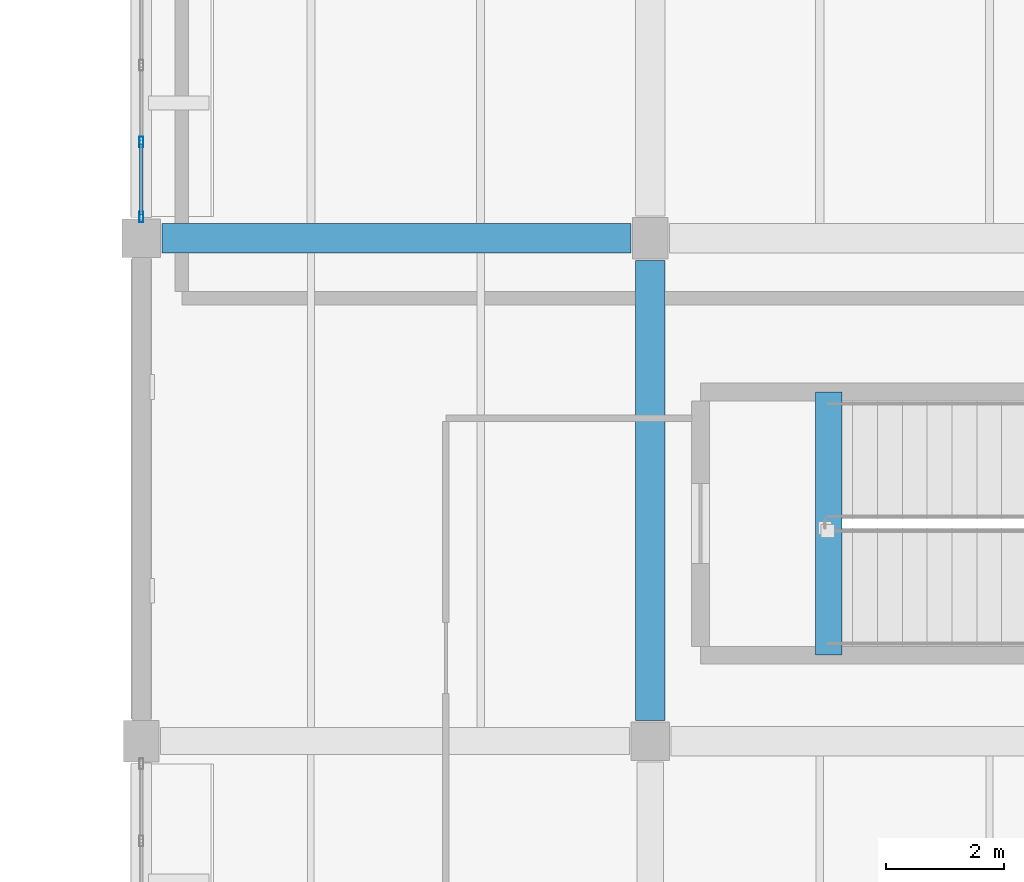
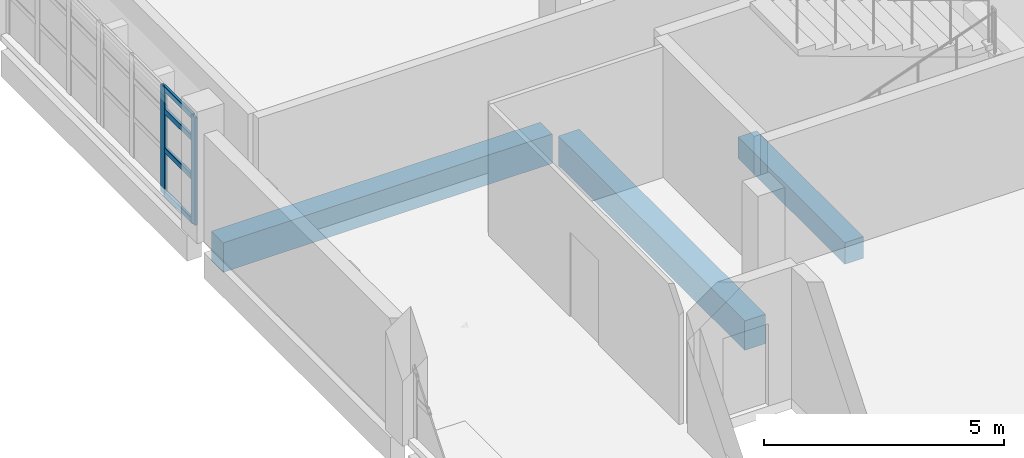
# One storey, part 14 of 93: 6 members, 3 beams, 1 element without a shape of its own.
"""IFC4 building model written with IfcOpenShell, lengths in metres."""

from ifc_helpers import new_model, si_unit, direction, frame, origin, origin_2d, place, context, subcontext, project, spatial, rectangle, hollow_rectangle, extrude, material, material_profile, profile_set, type_object, element, aggregate, save


model = new_model("IFC4")

# Units and contexts
model_context = context("Model", 3, precision=1e-05, world=origin(), true_north=direction((0.0, 1.0)))
body_context = subcontext(model_context, "Body", "Model", "MODEL_VIEW")
ifc_project = project(units=[si_unit("LENGTHUNIT", "METRE"), si_unit("AREAUNIT", "SQUARE_METRE"), si_unit("VOLUMEUNIT", "CUBIC_METRE"), si_unit("PLANEANGLEUNIT", "RADIAN"), si_unit("MASSUNIT", "GRAM", prefix="KILO")], contexts=[model_context])

# Site, building, storey
site_placement = place(None, origin())
site = spatial("IfcSite", under=ifc_project, at=site_placement, CompositionType="ELEMENT")
building_placement = place(site_placement, origin())
building = spatial("IfcBuilding", under=site, at=building_placement, Name="Varnakota Cinema and Media Centre", CompositionType="ELEMENT")
storey_placement = place(building_placement, frame((0.0, 0.0, 12.0)))
storey = spatial("IfcBuildingStorey", under=building, at=storey_placement, Name="L03", CompositionType="ELEMENT", Elevation=12.0)

# Beams
ifc_material_1 = material(Name="Concrete M40", Category="concrete")
ifc_material_profile_1 = material_profile(ifc_material_1, rectangle(XDim=0.449951171875, YDim=0.550048828125, at=origin_2d()), Name="RCB 450x550")
ifc_profile_set_1 = profile_set([ifc_material_profile_1], Name="Concrete M40")
beam_type_1 = type_object("IfcBeamType", Name="BM-RC-450x550", PredefinedType="BEAM", material=ifc_profile_set_1)
beam_1_placement = place(storey_placement, frame((11.6201171875, 45.449951171875, -0.27490234375), z_axis=(0.0, 1.0, 0.0), x_axis=(-1.0, 0.0, 0.0)))
element("IfcBeam", 1, at=beam_1_placement, inside=storey, type_object=beam_type_1, Name="L03 ST-03 stair arrival trimmer beam", PredefinedType="BEAM", context=body_context, shape_type="SweptSolid", body=[
    extrude(rectangle(XDim=0.449951171875, YDim=0.550048828125, at=origin_2d()), origin(), (0.0, 0.0, 1.0), 4.449951171875),
])
ifc_material_2 = material(Name="Concrete M35", Category="concrete")
ifc_material_profile_2 = material_profile(ifc_material_2, rectangle(XDim=0.5, YDim=0.75, at=origin_2d()), Name="RCB 500x750")
ifc_profile_set_2 = profile_set([ifc_material_profile_2], Name="Concrete M35")
beam_type_2 = type_object("IfcBeamType", Name="BM-RC-500x750", PredefinedType="BEAM", material=ifc_profile_set_2)
beam_2_placement = place(storey_placement, frame((0.35009765625, 52.5, -0.635009765625), z_axis=(1.0, 0.0, 0.0), x_axis=(0.0, 1.0, 0.0)))
element("IfcBeam", 2, at=beam_2_placement, inside=storey, type_object=beam_type_2, Name="L03 girder A-B/7", PredefinedType="BEAM", context=body_context, shape_type="SweptSolid", body=[
    extrude(rectangle(XDim=0.5, YDim=0.75, at=origin_2d()), origin(), (0.0, 0.0, 1.0), 7.9248046875),
])
beam_3_placement = place(storey_placement, frame((8.60009765625, 44.35009765625, -0.635009765625), z_axis=(0.0, 1.0, 0.0), x_axis=(-1.0, 0.0, 0.0)))
element("IfcBeam", 3, at=beam_3_placement, inside=storey, type_object=beam_type_2, Name="L03 girder B/6-7", PredefinedType="BEAM", context=body_context, shape_type="SweptSolid", body=[
    extrude(rectangle(XDim=0.5, YDim=0.75, at=origin_2d()), origin(), (0.0, 0.0, 1.0), 7.77490234375),
])

# Curtain wall, members
ifc_material_3 = material(Name="Thermally broken anodised aluminium AW-6063", Category="aluminium")
curtain_wall_type = type_object("IfcCurtainWallType", Name="CW-STD-389x274", PredefinedType="USERDEFINED", material=ifc_material_3)
curtain_wall_placement = place(storey_placement, origin())
curtain_wall = element("IfcCurtainWall", 4, at=curtain_wall_placement, inside=storey, type_object=curtain_wall_type, Name="L03 curtain wall CW-L03-V5-W-03-2", ObjectType="UNITISED CURTAIN WALL", PredefinedType="USERDEFINED")
ifc_material_4 = material(Name="Thermally broken anodised aluminium AW-6063", Category="aluminium")
ifc_material_profile_3 = material_profile(ifc_material_4, hollow_rectangle(XDim=0.06494140625, YDim=0.179931640625, WallThickness=0.00390625, InnerFilletRadius=0.00390625, OuterFilletRadius=0.008056640625, at=origin_2d()), Name="AL-MULLION 180x65x4")
ifc_profile_set_3 = profile_set([ifc_material_profile_3], Name="Thermally broken anodised aluminium AW-6063")
member_type_1 = type_object("IfcMemberType", Name="CWM-AL-180", PredefinedType="MULLION", material=ifc_profile_set_3)
member_1_placement = place(storey_placement, frame((0.0, 54.12255859375, 0.0), z_axis=(0.0, 0.0, 1.0), x_axis=(1.0, 0.0, 0.0)))
member_1 = element("IfcMember", 5, at=member_1_placement, type_object=member_type_1, Name="CW46 mullion 3", PredefinedType="MULLION", context=body_context, shape_type="SweptSolid", body=[
    extrude(hollow_rectangle(XDim=0.06494140625, YDim=0.179931640625, WallThickness=0.00390625, InnerFilletRadius=0.00390625, OuterFilletRadius=0.008056640625, at=origin_2d()), origin(), (0.0, 0.0, 1.0), 2.735107421875),
])
member_2_placement = place(storey_placement, frame((0.0, 52.857421875, 0.0), z_axis=(0.0, 0.0, 1.0), x_axis=(1.0, 0.0, 0.0)))
member_2 = element("IfcMember", 6, at=member_2_placement, type_object=member_type_1, Name="CW46 mullion 4", PredefinedType="MULLION", context=body_context, shape_type="SweptSolid", body=[
    extrude(hollow_rectangle(XDim=0.06494140625, YDim=0.179931640625, WallThickness=0.00390625, InnerFilletRadius=0.00390625, OuterFilletRadius=0.008056640625, at=origin_2d()), origin(), (0.0, 0.0, 1.0), 2.735107421875),
])
ifc_material_5 = material(Name="Thermally broken anodised aluminium AW-6063", Category="aluminium")
ifc_material_profile_4 = material_profile(ifc_material_5, hollow_rectangle(XDim=0.06494140625, YDim=0.139892578125, WallThickness=0.00390625, InnerFilletRadius=0.00390625, OuterFilletRadius=0.008056640625, at=origin_2d()), Name="AL-TRANSOM 140x65x4")
ifc_profile_set_4 = profile_set([ifc_material_profile_4], Name="Thermally broken anodised aluminium AW-6063")
member_type_2 = type_object("IfcMemberType", Name="CWT-AL-140", PredefinedType="USERDEFINED", material=ifc_profile_set_4)
member_3_placement = place(storey_placement, frame((0.0, 54.090087890625, 0.032470703125), z_axis=(0.0, -1.0, 0.0), x_axis=(1.0, 0.0, 0.0)))
member_3 = element("IfcMember", 7, at=member_3_placement, type_object=member_type_2, Name="CW46 transom 3.1", ObjectType="TRANSOM", PredefinedType="USERDEFINED", context=body_context, shape_type="SweptSolid", body=[
    extrude(hollow_rectangle(XDim=0.06494140625, YDim=0.139892578125, WallThickness=0.00390625, InnerFilletRadius=0.00390625, OuterFilletRadius=0.008056640625, at=origin_2d()), origin(), (0.0, 0.0, 1.0), 1.2001953125),
])
member_4_placement = place(storey_placement, frame((0.0, 54.090087890625, 1.148681640625), z_axis=(0.0, -1.0, 0.0), x_axis=(1.0, 0.0, 0.0)))
member_4 = element("IfcMember", 8, at=member_4_placement, type_object=member_type_2, Name="CW46 transom 3.2", ObjectType="TRANSOM", PredefinedType="USERDEFINED", context=body_context, shape_type="SweptSolid", body=[
    extrude(hollow_rectangle(XDim=0.06494140625, YDim=0.139892578125, WallThickness=0.00390625, InnerFilletRadius=0.00390625, OuterFilletRadius=0.008056640625, at=origin_2d()), origin(), (0.0, 0.0, 1.0), 1.2001953125),
])
member_5_placement = place(storey_placement, frame((0.0, 54.090087890625, 2.13330078125), z_axis=(0.0, -1.0, 0.0), x_axis=(1.0, 0.0, 0.0)))
member_5 = element("IfcMember", 9, at=member_5_placement, type_object=member_type_2, Name="CW46 transom 3.3", ObjectType="TRANSOM", PredefinedType="USERDEFINED", context=body_context, shape_type="SweptSolid", body=[
    extrude(hollow_rectangle(XDim=0.06494140625, YDim=0.139892578125, WallThickness=0.00390625, InnerFilletRadius=0.00390625, OuterFilletRadius=0.008056640625, at=origin_2d()), origin(), (0.0, 0.0, 1.0), 1.2001953125),
])
member_6_placement = place(storey_placement, frame((0.0, 54.090087890625, 2.702392578125), z_axis=(0.0, -1.0, 0.0), x_axis=(1.0, 0.0, 0.0)))
member_6 = element("IfcMember", 10, at=member_6_placement, type_object=member_type_2, Name="CW46 transom 3.4", ObjectType="TRANSOM", PredefinedType="USERDEFINED", context=body_context, shape_type="SweptSolid", body=[
    extrude(hollow_rectangle(XDim=0.06494140625, YDim=0.139892578125, WallThickness=0.00390625, InnerFilletRadius=0.00390625, OuterFilletRadius=0.008056640625, at=origin_2d()), origin(), (0.0, 0.0, 1.0), 1.2001953125),
])
aggregate(curtain_wall, [member_1, member_2, member_3, member_4, member_5, member_6])

save(model, "model.ifc")
